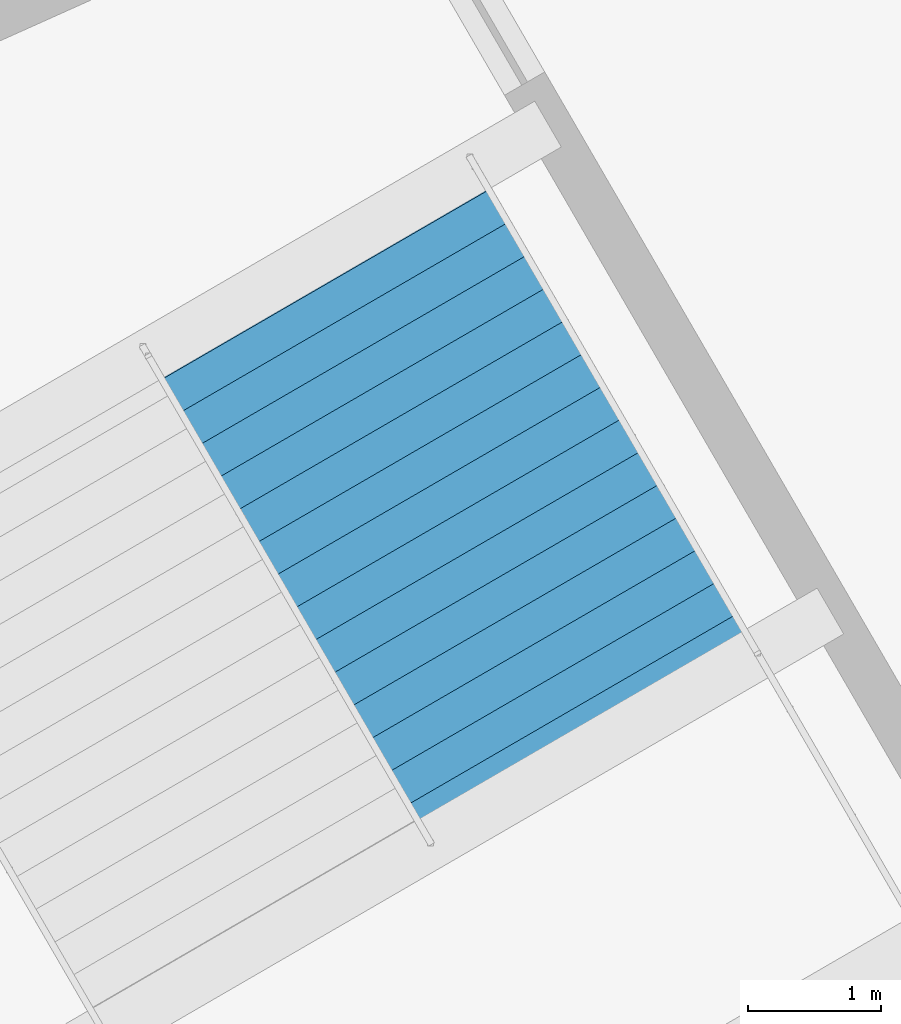
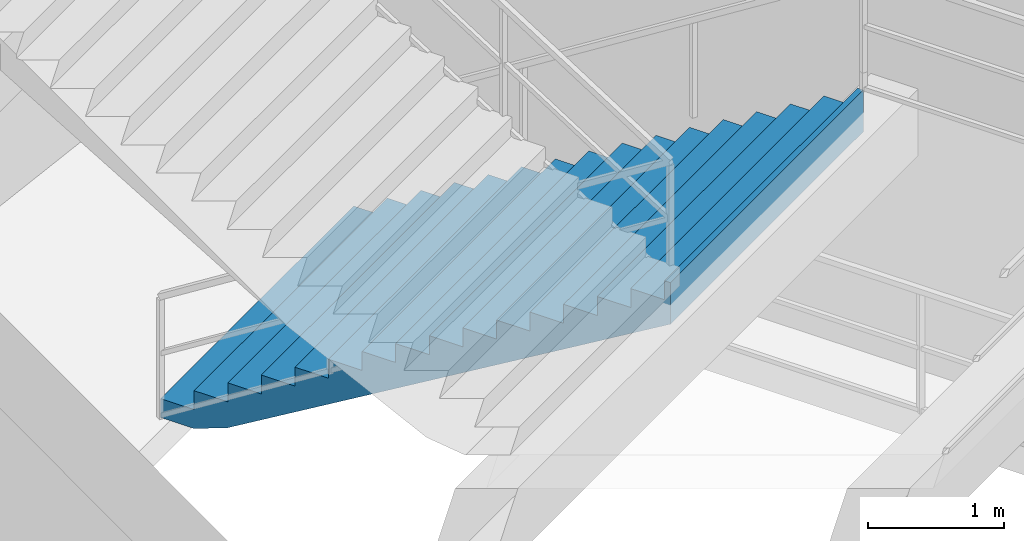
# One storey, part 82 of 103: 1 stair flight, 1 element without a shape of its own.
"""IFC4 building model written with IfcOpenShell, lengths in metres."""

import ifcopenshell
import ifcopenshell.guid

model = None  # the IFC model being written
_history = None  # IfcOwnerHistory: only IFC2X3 demands one
_inside = {}  # id of a spatial element -> (the spatial element, [elements in it])
_under = {}  # id of a project, library or spatial element -> (it, [spatial elements below it])
_declared = {}  # id of a project -> (the project, [libraries it declares])
_typed = {}  # id of a type object -> (the type object, [elements of that type])
_made_of = {}  # id of a material, layer set ... -> (it, [elements and type objects made of it])


def new_model(schema):
    """Start an empty IFC model of exactly this schema.

    Asked for "IFC4X3", IfcOpenShell would pick the latest addendum, in which some entities
    have other attributes; the version numbers below select the first issue.
    IFC2X3 requires an IfcOwnerHistory on every rooted entity: one is made here for all.
    """
    global model, _history
    if schema == "IFC4X3":
        model = ifcopenshell.file(schema_version=(4, 3, 0, 0))
    else:
        model = ifcopenshell.file(schema=schema)
    _inside.clear()
    _under.clear()
    _declared.clear()
    _typed.clear()
    _made_of.clear()
    _history = None
    if model.schema == "IFC2X3":
        org = make("IfcOrganization", Name="unknown")
        user = make(
            "IfcPersonAndOrganization",
            ThePerson=make("IfcPerson", FamilyName="unknown"),
            TheOrganization=org,
        )
        app = make(
            "IfcApplication",
            ApplicationDeveloper=org,
            Version="unknown",
            ApplicationFullName="unknown",
            ApplicationIdentifier="unknown",
        )
        _history = make(
            "IfcOwnerHistory",
            OwningUser=user,
            OwningApplication=app,
            ChangeAction="ADDED",
            CreationDate=0,
        )
    return model


def make(cls, **values):
    """One entity of the class cls with the attributes given. An attribute that is None is left unset."""
    return model.create_entity(
        cls, **{name: value for name, value in values.items() if value is not None}
    )


def rooted(cls, **values):
    """An entity with a GlobalId (a new one), such as an element, a storey or a relation."""
    return make(cls, GlobalId=ifcopenshell.guid.new(), OwnerHistory=_history, **values)


def si_unit(unit_type, name, prefix=None):
    """IfcSIUnit, for example si_unit("LENGTHUNIT", "METRE", prefix="MILLI")."""
    return make("IfcSIUnit", UnitType=unit_type, Prefix=prefix, Name=name)


def assignment(units):
    """IfcUnitAssignment: the units of a project."""
    return None if units is None else make("IfcUnitAssignment", Units=units)


def point(xyz):
    """IfcCartesianPoint."""
    return None if xyz is None else make("IfcCartesianPoint", Coordinates=xyz)


def direction(xyz):
    """IfcDirection."""
    return None if xyz is None else make("IfcDirection", DirectionRatios=xyz)


def frame(location, z_axis=None, x_axis=None):
    """IfcAxis2Placement3D, a coordinate frame: its origin and axes. An axis left out is left unset."""
    return make(
        "IfcAxis2Placement3D",
        Location=point(location),
        Axis=direction(z_axis),
        RefDirection=direction(x_axis),
    )


def origin():
    """The frame at (0, 0, 0) with its axes left unset."""
    return frame((0.0, 0.0, 0.0))


def place(relative_to, where):
    """IfcLocalPlacement: puts the frame where relative to a parent placement (None: the world)."""
    return make(
        "IfcLocalPlacement", PlacementRelTo=relative_to, RelativePlacement=where
    )


def context(
    kind, dimensions, precision=None, world=None, true_north=None, identifier=None
):
    """IfcGeometricRepresentationContext, for example the 3D "Model" context."""
    return make(
        "IfcGeometricRepresentationContext",
        ContextIdentifier=identifier,
        ContextType=kind,
        CoordinateSpaceDimension=dimensions,
        Precision=precision,
        WorldCoordinateSystem=world,
        TrueNorth=true_north,
    )


def subcontext(parent, identifier, kind, view, scale=None):
    """IfcGeometricRepresentationSubContext, for example "Body" below "Model"."""
    return make(
        "IfcGeometricRepresentationSubContext",
        ContextIdentifier=identifier,
        ContextType=kind,
        ParentContext=parent,
        TargetScale=scale,
        TargetView=view,
    )


def project(units=None, contexts=None):
    """IfcProject with its units and contexts."""
    return rooted(
        "IfcProject",
        Name="project",
        RepresentationContexts=contexts,
        UnitsInContext=assignment(units),
    )


def spatial(cls, under=None, at=None, **own):
    """A site, building, storey or space (cls), placed at a placement, below another one or the project."""
    s = rooted(cls, ObjectPlacement=at, **own)
    if under is not None:
        _under.setdefault(under.id(), (under, []))[1].append(s)
    return s


def point_list(points):
    """IfcCartesianPointList2D or 3D."""
    cls = (
        "IfcCartesianPointList2D" if len(points[0]) == 2 else "IfcCartesianPointList3D"
    )
    return make(cls, CoordList=points)


def polygons(points, faces, closed=None, point_numbers=None):
    """IfcPolygonalFaceSet: a face is its outer loop, then its inner loops; points numbered from 1."""
    made = []
    for loops in faces:
        if len(loops) == 1:
            made.append(make("IfcIndexedPolygonalFace", CoordIndex=loops[0]))
        else:
            made.append(
                make(
                    "IfcIndexedPolygonalFaceWithVoids",
                    CoordIndex=loops[0],
                    InnerCoordIndices=loops[1:],
                )
            )
    return make(
        "IfcPolygonalFaceSet",
        Coordinates=point_list(points),
        Closed=closed,
        Faces=made,
        PnIndex=point_numbers,
    )


def shape(context_of_items, identifier, shape_type, items):
    """IfcShapeRepresentation: the items that make up one representation, for example the "Body"."""
    return make(
        "IfcShapeRepresentation",
        ContextOfItems=context_of_items,
        RepresentationIdentifier=identifier,
        RepresentationType=shape_type,
        Items=items,
    )


def material(Name=None, Category=None):
    """IfcMaterial."""
    return make("IfcMaterial", Name=Name, Category=Category)


def made_of(thing, what):
    """Note that an element or type object is made of a material, layer set ...; save() writes the relation."""
    if what is not None:
        _made_of.setdefault(what.id(), (what, []))[1].append(thing)
    return thing


def type_object(cls, material=None, **own):
    """A type object (cls), such as IfcWallType, which elements share."""
    return made_of(rooted(cls, **own), material)


def element(
    cls,
    number,
    at=None,
    inside=None,
    cuts=None,
    type_object=None,
    material=None,
    context=None,
    identifier="Body",
    shape_type=None,
    held_by="IfcProductDefinitionShape",
    body=None,
    shapes=None,
    **own,
):
    """One element of the class cls, such as IfcWall. Its Tag is "e" and its number.

    at: its placement. inside: the storey or other place that contains it. cuts: it is an
    opening in that element (IfcRelVoidsElement). A single representation is given by context,
    identifier, shape_type and body (its items); several are given by shapes. held_by: the class
    of the entity that holds the representations. save() writes the other relations.
    """
    e = rooted(cls, Tag="e%d" % number, ObjectPlacement=at, **own)
    if body is not None:
        shapes = [shape(context, identifier, shape_type, body)]
    if shapes is not None:
        e.Representation = make(held_by, Representations=shapes)
    if inside is not None:
        _inside.setdefault(inside.id(), (inside, []))[1].append(e)
    if cuts is not None:
        rooted(
            "IfcRelVoidsElement", RelatingBuildingElement=cuts, RelatedOpeningElement=e
        )
    if type_object is not None:
        _typed.setdefault(type_object.id(), (type_object, []))[1].append(e)
    return made_of(e, material)


def aggregate(whole, parts):
    """IfcRelAggregates: a whole, such as a stair, and the parts it consists of."""
    return rooted("IfcRelAggregates", RelatingObject=whole, RelatedObjects=parts)


def save(model, path):
    """Write the relations noted so far, then the file.

    IfcRelAggregates (storeys below a building ...), IfcRelContainedInSpatialStructure (elements
    in a storey), IfcRelDefinesByType, IfcRelAssociatesMaterial and IfcRelDeclares: one each for
    every whole, place, type object, material and project.
    """
    for whole, parts in _under.values():
        aggregate(whole, parts)
    for where, things in _inside.values():
        rooted(
            "IfcRelContainedInSpatialStructure",
            RelatedElements=things,
            RelatingStructure=where,
        )
    for kind, things in _typed.values():
        rooted("IfcRelDefinesByType", RelatedObjects=things, RelatingType=kind)
    for what, things in _made_of.values():
        rooted("IfcRelAssociatesMaterial", RelatedObjects=things, RelatingMaterial=what)
    for by, libraries in _declared.values():
        rooted("IfcRelDeclares", RelatingContext=by, RelatedDefinitions=libraries)
    model.write(path)


model = new_model("IFC4")

# Units and contexts
model_context = context("Model", 3, precision=1e-05, world=origin(), true_north=direction((0.0, 1.0)))
body_context = subcontext(model_context, "Body", "Model", "MODEL_VIEW")
ifc_project = project(units=[si_unit("LENGTHUNIT", "METRE"), si_unit("AREAUNIT", "SQUARE_METRE"), si_unit("VOLUMEUNIT", "CUBIC_METRE"), si_unit("PLANEANGLEUNIT", "RADIAN"), si_unit("MASSUNIT", "GRAM", prefix="KILO")], contexts=[model_context])

# Site, building, storey
site_placement = place(None, origin())
site = spatial("IfcSite", under=ifc_project, at=site_placement, CompositionType="ELEMENT")
building_placement = place(site_placement, origin())
building = spatial("IfcBuilding", under=site, at=building_placement, Name="Kazemori Nagisa Stadium", CompositionType="ELEMENT")
storey_placement = place(building_placement, frame((0.0, 0.0, 25.840087890625)))
storey = spatial("IfcBuildingStorey", under=building, at=storey_placement, Name="L05", CompositionType="ELEMENT", Elevation=25.840087890625)

# Stair, stair flight
ifc_material = material(Name="Concrete C36/45 (Fc36)", Category="concrete")
stair_type = type_object("IfcStairType", Name="Stair_CORE_32", PredefinedType="TWO_STRAIGHT_RUN_STAIR", material=ifc_material)
stair_placement = place(storey_placement, origin())
stair = element("IfcStair", 1, at=stair_placement, inside=storey, type_object=stair_type, Name="Exit stair ST09 L05", PredefinedType="TWO_STRAIGHT_RUN_STAIR")
stair_flight_type = type_object("IfcStairFlightType", Name="Flight_CORE_16", PredefinedType="STRAIGHT", material=ifc_material)
stair_flight_placement = place(storey_placement, frame((43.585693359375, 63.55029296875, 0.0), z_axis=(0.0, 0.0, 1.0), x_axis=(0.501596719773, -0.865101572483, 0.0)))
stair_flight = element("IfcStairFlight", 2, at=stair_flight_placement, type_object=stair_flight_type, Name="Exit stair ST09 L05 flight 1", NumberOfRisers=16, NumberOfTreads=15, PredefinedType="STRAIGHT", RiserHeight=0.17, TreadLength=0.285, context=body_context, shape_type="Tessellation", body=[
    polygons([(0.0, -1.425048828125, 0.0), (0.0, -1.425048828125, 0.169921875), (0.284912109375, -1.425048828125, 0.169921875), (0.284912109375, -1.425048828125, 0.340087890625), (0.570068359375, -1.425048828125, 0.340087890625), (0.570068359375, -1.425048828125, 0.510009765625), (0.85498046875, -1.425048828125, 0.510009765625), (0.85498046875, -1.425048828125, 0.679931640625), (1.139892578125, -1.425048828125, 0.679931640625), (1.139892578125, -1.425048828125, 0.85009765625), (1.425048828125, -1.425048828125, 0.85009765625), (1.425048828125, -1.425048828125, 1.02001953125), (1.7099609375, -1.425048828125, 1.02001953125), (1.7099609375, -1.425048828125, 1.18994140625), (1.9951171875, -1.425048828125, 1.18994140625), (1.9951171875, -1.425048828125, 1.360107421875), (2.280029296875, -1.425048828125, 1.360107421875), (2.280029296875, -1.425048828125, 1.530029296875), (2.56494140625, -1.425048828125, 1.530029296875), (2.56494140625, -1.425048828125, 1.699951171875), (2.85009765625, -1.425048828125, 1.699951171875), (2.85009765625, -1.425048828125, 1.8701171875), (3.135009765625, -1.425048828125, 1.8701171875), (3.135009765625, -1.425048828125, 2.0400390625), (3.419921875, -1.425048828125, 2.0400390625), (3.419921875, -1.425048828125, 2.2099609375), (3.705078125, -1.425048828125, 2.2099609375), (3.705078125, -1.425048828125, 2.3798828125), (3.989990234375, -1.425048828125, 2.3798828125), (3.989990234375, -1.425048828125, 2.550048828125), (4.27490234375, -1.425048828125, 2.550048828125), (4.27490234375, -1.425048828125, 2.719970703125), (4.324951171875, -1.425048828125, 2.719970703125), (4.324951171875, -1.425048828125, 2.346923828125), (4.27490234375, -1.425048828125, 2.317138671875), (3.989990234375, -1.425048828125, 2.147216796875), (3.705078125, -1.425048828125, 1.977294921875), (3.419921875, -1.425048828125, 1.80712890625), (3.135009765625, -1.425048828125, 1.63720703125), (2.85009765625, -1.425048828125, 1.46728515625), (2.56494140625, -1.425048828125, 1.297119140625), (2.280029296875, -1.425048828125, 1.127197265625), (1.9951171875, -1.425048828125, 0.957275390625), (1.7099609375, -1.425048828125, 0.787109375), (1.425048828125, -1.425048828125, 0.6171875), (1.139892578125, -1.425048828125, 0.447265625), (0.85498046875, -1.425048828125, 0.277099609375), (0.570068359375, -1.425048828125, 0.107177734375), (0.284912109375, -1.425048828125, 0.0), (0.0, -0.08544921875, 0.0), (0.0, -0.08544921875, 0.169921875), (0.284912109375, -0.08544921875, 0.169921875), (0.284912109375, -0.08544921875, 0.340087890625), (0.570068359375, -0.08544921875, 0.340087890625), (0.570068359375, -0.08544921875, 0.510009765625), (0.85498046875, -0.08544921875, 0.510009765625), (0.85498046875, -0.08544921875, 0.679931640625), (1.139892578125, -0.08544921875, 0.679931640625), (1.139892578125, -0.08544921875, 0.85009765625), (1.425048828125, -0.08544921875, 0.85009765625), (1.425048828125, -0.08544921875, 1.02001953125), (1.7099609375, -0.08544921875, 1.02001953125), (1.7099609375, -0.08544921875, 1.18994140625), (1.9951171875, -0.08544921875, 1.18994140625), (1.9951171875, -0.08544921875, 1.360107421875), (2.280029296875, -0.08544921875, 1.360107421875), (2.280029296875, -0.08544921875, 1.530029296875), (2.56494140625, -0.08544921875, 1.530029296875), (2.56494140625, -0.08544921875, 1.699951171875), (2.85009765625, -0.08544921875, 1.699951171875), (2.85009765625, -0.08544921875, 1.8701171875), (3.135009765625, -0.08544921875, 1.8701171875), (3.135009765625, -0.08544921875, 2.0400390625), (3.419921875, -0.08544921875, 2.0400390625), (3.419921875, -0.08544921875, 2.2099609375), (3.705078125, -0.08544921875, 2.2099609375), (3.705078125, -0.08544921875, 2.3798828125), (3.989990234375, -0.08544921875, 2.3798828125), (3.989990234375, -0.08544921875, 2.550048828125), (4.27490234375, -0.08544921875, 2.550048828125), (4.27490234375, -0.08544921875, 2.719970703125), (4.324951171875, -0.08544921875, 2.719970703125), (4.324951171875, -0.08544921875, 2.346923828125), (4.27490234375, -0.08544921875, 2.317138671875), (3.989990234375, -0.08544921875, 2.147216796875), (3.705078125, -0.08544921875, 1.977294921875), (3.419921875, -0.08544921875, 1.80712890625), (3.135009765625, -0.08544921875, 1.63720703125), (2.85009765625, -0.08544921875, 1.46728515625), (2.56494140625, -0.08544921875, 1.297119140625), (2.280029296875, -0.08544921875, 1.127197265625), (1.9951171875, -0.08544921875, 0.957275390625), (1.7099609375, -0.08544921875, 0.787109375), (1.425048828125, -0.08544921875, 0.6171875), (1.139892578125, -0.08544921875, 0.447265625), (0.85498046875, -0.08544921875, 0.277099609375), (0.570068359375, -0.08544921875, 0.107177734375), (0.284912109375, -0.08544921875, 0.0), (0.0, 0.0, 0.0), (0.0, 0.0, 0.169921875), (0.284912109375, 0.0, 0.169921875), (0.284912109375, 0.0, 0.340087890625), (0.570068359375, 0.0, 0.340087890625), (0.570068359375, 0.0, 0.510009765625), (0.85498046875, 0.0, 0.510009765625), (0.85498046875, 0.0, 0.679931640625), (1.139892578125, 0.0, 0.679931640625), (1.139892578125, 0.0, 0.85009765625), (1.425048828125, 0.0, 0.85009765625), (1.425048828125, 0.0, 1.02001953125), (1.7099609375, 0.0, 1.02001953125), (1.7099609375, 0.0, 1.18994140625), (1.9951171875, 0.0, 1.18994140625), (1.9951171875, 0.0, 1.360107421875), (2.280029296875, 0.0, 1.360107421875), (2.280029296875, 0.0, 1.530029296875), (2.56494140625, 0.0, 1.530029296875), (2.56494140625, 0.0, 1.699951171875), (2.85009765625, 0.0, 1.699951171875), (2.85009765625, 0.0, 1.8701171875), (3.135009765625, 0.0, 1.8701171875), (3.135009765625, 0.0, 2.0400390625), (3.419921875, 0.0, 2.0400390625), (3.419921875, 0.0, 2.2099609375), (3.705078125, 0.0, 2.2099609375), (3.705078125, 0.0, 2.3798828125), (3.989990234375, 0.0, 2.3798828125), (3.989990234375, 0.0, 2.550048828125), (4.27490234375, 0.0, 2.550048828125), (4.27490234375, 0.0, 2.719970703125), (4.324951171875, 0.0, 2.719970703125), (4.324951171875, 0.0, 2.346923828125), (4.27490234375, 0.0, 2.317138671875), (3.989990234375, 0.0, 2.147216796875), (3.705078125, 0.0, 1.977294921875), (3.419921875, 0.0, 1.80712890625), (3.135009765625, 0.0, 1.63720703125), (2.85009765625, 0.0, 1.46728515625), (2.56494140625, 0.0, 1.297119140625), (2.280029296875, 0.0, 1.127197265625), (1.9951171875, 0.0, 0.957275390625), (1.7099609375, 0.0, 0.787109375), (1.425048828125, 0.0, 0.6171875), (1.139892578125, 0.0, 0.447265625), (0.85498046875, 0.0, 0.277099609375), (0.570068359375, 0.0, 0.107177734375), (0.284912109375, 0.0, 0.0), (0.0, 0.08544921875, 0.0), (0.0, 0.08544921875, 0.169921875), (0.284912109375, 0.08544921875, 0.169921875), (0.284912109375, 0.08544921875, 0.340087890625), (0.570068359375, 0.08544921875, 0.340087890625), (0.570068359375, 0.08544921875, 0.510009765625), (0.85498046875, 0.08544921875, 0.510009765625), (0.85498046875, 0.08544921875, 0.679931640625), (1.139892578125, 0.08544921875, 0.679931640625), (1.139892578125, 0.08544921875, 0.85009765625), (1.425048828125, 0.08544921875, 0.85009765625), (1.425048828125, 0.08544921875, 1.02001953125), (1.7099609375, 0.08544921875, 1.02001953125), (1.7099609375, 0.08544921875, 1.18994140625), (1.9951171875, 0.08544921875, 1.18994140625), (1.9951171875, 0.08544921875, 1.360107421875), (2.280029296875, 0.08544921875, 1.360107421875), (2.280029296875, 0.08544921875, 1.530029296875), (2.56494140625, 0.08544921875, 1.530029296875), (2.56494140625, 0.08544921875, 1.699951171875), (2.85009765625, 0.08544921875, 1.699951171875), (2.85009765625, 0.08544921875, 1.8701171875), (3.135009765625, 0.08544921875, 1.8701171875), (3.135009765625, 0.08544921875, 2.0400390625), (3.419921875, 0.08544921875, 2.0400390625), (3.419921875, 0.08544921875, 2.2099609375), (3.705078125, 0.08544921875, 2.2099609375), (3.705078125, 0.08544921875, 2.3798828125), (3.989990234375, 0.08544921875, 2.3798828125), (3.989990234375, 0.08544921875, 2.550048828125), (4.27490234375, 0.08544921875, 2.550048828125), (4.27490234375, 0.08544921875, 2.719970703125), (4.324951171875, 0.08544921875, 2.719970703125), (4.324951171875, 0.08544921875, 2.346923828125), (4.27490234375, 0.08544921875, 2.317138671875), (3.989990234375, 0.08544921875, 2.147216796875), (3.705078125, 0.08544921875, 1.977294921875), (3.419921875, 0.08544921875, 1.80712890625), (3.135009765625, 0.08544921875, 1.63720703125), (2.85009765625, 0.08544921875, 1.46728515625), (2.56494140625, 0.08544921875, 1.297119140625), (2.280029296875, 0.08544921875, 1.127197265625), (1.9951171875, 0.08544921875, 0.957275390625), (1.7099609375, 0.08544921875, 0.787109375), (1.425048828125, 0.08544921875, 0.6171875), (1.139892578125, 0.08544921875, 0.447265625), (0.85498046875, 0.08544921875, 0.277099609375), (0.570068359375, 0.08544921875, 0.107177734375), (0.284912109375, 0.08544921875, 0.0), (0.0, 1.425048828125, 0.0), (0.0, 1.425048828125, 0.169921875), (0.284912109375, 1.425048828125, 0.169921875), (0.284912109375, 1.425048828125, 0.340087890625), (0.570068359375, 1.425048828125, 0.340087890625), (0.570068359375, 1.425048828125, 0.510009765625), (0.85498046875, 1.425048828125, 0.510009765625), (0.85498046875, 1.425048828125, 0.679931640625), (1.139892578125, 1.425048828125, 0.679931640625), (1.139892578125, 1.425048828125, 0.85009765625), (1.425048828125, 1.425048828125, 0.85009765625), (1.425048828125, 1.425048828125, 1.02001953125), (1.7099609375, 1.425048828125, 1.02001953125), (1.7099609375, 1.425048828125, 1.18994140625), (1.9951171875, 1.425048828125, 1.18994140625), (1.9951171875, 1.425048828125, 1.360107421875), (2.280029296875, 1.425048828125, 1.360107421875), (2.280029296875, 1.425048828125, 1.530029296875), (2.56494140625, 1.425048828125, 1.530029296875), (2.56494140625, 1.425048828125, 1.699951171875), (2.85009765625, 1.425048828125, 1.699951171875), (2.85009765625, 1.425048828125, 1.8701171875), (3.135009765625, 1.425048828125, 1.8701171875), (3.135009765625, 1.425048828125, 2.0400390625), (3.419921875, 1.425048828125, 2.0400390625), (3.419921875, 1.425048828125, 2.2099609375), (3.705078125, 1.425048828125, 2.2099609375), (3.705078125, 1.425048828125, 2.3798828125), (3.989990234375, 1.425048828125, 2.3798828125), (3.989990234375, 1.425048828125, 2.550048828125), (4.27490234375, 1.425048828125, 2.550048828125), (4.27490234375, 1.425048828125, 2.719970703125), (4.324951171875, 1.425048828125, 2.719970703125), (4.324951171875, 1.425048828125, 2.346923828125), (4.27490234375, 1.425048828125, 2.317138671875), (3.989990234375, 1.425048828125, 2.147216796875), (3.705078125, 1.425048828125, 1.977294921875), (3.419921875, 1.425048828125, 1.80712890625), (3.135009765625, 1.425048828125, 1.63720703125), (2.85009765625, 1.425048828125, 1.46728515625), (2.56494140625, 1.425048828125, 1.297119140625), (2.280029296875, 1.425048828125, 1.127197265625), (1.9951171875, 1.425048828125, 0.957275390625), (1.7099609375, 1.425048828125, 0.787109375), (1.425048828125, 1.425048828125, 0.6171875), (1.139892578125, 1.425048828125, 0.447265625), (0.85498046875, 1.425048828125, 0.277099609375), (0.570068359375, 1.425048828125, 0.107177734375), (0.284912109375, 1.425048828125, 0.0)], [[[1, 2, 51]], [[1, 51, 50]], [[2, 3, 52]], [[2, 52, 51]], [[3, 4, 53]], [[3, 53, 52]], [[4, 5, 54]], [[4, 54, 53]], [[5, 6, 55]], [[5, 55, 54]], [[6, 7, 56]], [[6, 56, 55]], [[7, 8, 57]], [[7, 57, 56]], [[8, 9, 58]], [[8, 58, 57]], [[9, 10, 59]], [[9, 59, 58]], [[10, 11, 60]], [[10, 60, 59]], [[11, 12, 61]], [[11, 61, 60]], [[12, 13, 62]], [[12, 62, 61]], [[13, 14, 63]], [[13, 63, 62]], [[14, 15, 64]], [[14, 64, 63]], [[15, 16, 65]], [[15, 65, 64]], [[16, 17, 66]], [[16, 66, 65]], [[17, 18, 67]], [[17, 67, 66]], [[18, 19, 68]], [[18, 68, 67]], [[19, 20, 69]], [[19, 69, 68]], [[20, 21, 70]], [[20, 70, 69]], [[21, 22, 71]], [[21, 71, 70]], [[22, 23, 72]], [[22, 72, 71]], [[23, 24, 73]], [[23, 73, 72]], [[24, 25, 74]], [[24, 74, 73]], [[25, 26, 75]], [[25, 75, 74]], [[26, 27, 76]], [[26, 76, 75]], [[27, 28, 77]], [[27, 77, 76]], [[28, 29, 78]], [[28, 78, 77]], [[29, 30, 79]], [[29, 79, 78]], [[30, 31, 80]], [[30, 80, 79]], [[31, 32, 81]], [[31, 81, 80]], [[32, 33, 82]], [[32, 82, 81]], [[33, 34, 83]], [[33, 83, 82]], [[34, 35, 84]], [[34, 84, 83]], [[35, 36, 85]], [[35, 85, 84]], [[36, 37, 86]], [[36, 86, 85]], [[37, 38, 87]], [[37, 87, 86]], [[38, 39, 88]], [[38, 88, 87]], [[39, 40, 89]], [[39, 89, 88]], [[40, 41, 90]], [[40, 90, 89]], [[41, 42, 91]], [[41, 91, 90]], [[42, 43, 92]], [[42, 92, 91]], [[43, 44, 93]], [[43, 93, 92]], [[44, 45, 94]], [[44, 94, 93]], [[45, 46, 95]], [[45, 95, 94]], [[46, 47, 96]], [[46, 96, 95]], [[47, 48, 97]], [[47, 97, 96]], [[48, 49, 98]], [[48, 98, 97]], [[49, 1, 50]], [[49, 50, 98]], [[50, 51, 100]], [[50, 100, 99]], [[51, 52, 101]], [[51, 101, 100]], [[52, 53, 102]], [[52, 102, 101]], [[53, 54, 103]], [[53, 103, 102]], [[54, 55, 104]], [[54, 104, 103]], [[55, 56, 105]], [[55, 105, 104]], [[56, 57, 106]], [[56, 106, 105]], [[57, 58, 107]], [[57, 107, 106]], [[58, 59, 108]], [[58, 108, 107]], [[59, 60, 109]], [[59, 109, 108]], [[60, 61, 110]], [[60, 110, 109]], [[61, 62, 111]], [[61, 111, 110]], [[62, 63, 112]], [[62, 112, 111]], [[63, 64, 113]], [[63, 113, 112]], [[64, 65, 114]], [[64, 114, 113]], [[65, 66, 115]], [[65, 115, 114]], [[66, 67, 116]], [[66, 116, 115]], [[67, 68, 117]], [[67, 117, 116]], [[68, 69, 118]], [[68, 118, 117]], [[69, 70, 119]], [[69, 119, 118]], [[70, 71, 120]], [[70, 120, 119]], [[71, 72, 121]], [[71, 121, 120]], [[72, 73, 122]], [[72, 122, 121]], [[73, 74, 123]], [[73, 123, 122]], [[74, 75, 124]], [[74, 124, 123]], [[75, 76, 125]], [[75, 125, 124]], [[76, 77, 126]], [[76, 126, 125]], [[77, 78, 127]], [[77, 127, 126]], [[78, 79, 128]], [[78, 128, 127]], [[79, 80, 129]], [[79, 129, 128]], [[80, 81, 130]], [[80, 130, 129]], [[81, 82, 131]], [[81, 131, 130]], [[82, 83, 132]], [[82, 132, 131]], [[83, 84, 133]], [[83, 133, 132]], [[84, 85, 134]], [[84, 134, 133]], [[85, 86, 135]], [[85, 135, 134]], [[86, 87, 136]], [[86, 136, 135]], [[87, 88, 137]], [[87, 137, 136]], [[88, 89, 138]], [[88, 138, 137]], [[89, 90, 139]], [[89, 139, 138]], [[90, 91, 140]], [[90, 140, 139]], [[91, 92, 141]], [[91, 141, 140]], [[92, 93, 142]], [[92, 142, 141]], [[93, 94, 143]], [[93, 143, 142]], [[94, 95, 144]], [[94, 144, 143]], [[95, 96, 145]], [[95, 145, 144]], [[96, 97, 146]], [[96, 146, 145]], [[97, 98, 147]], [[97, 147, 146]], [[98, 50, 99]], [[98, 99, 147]], [[99, 100, 149]], [[99, 149, 148]], [[100, 101, 150]], [[100, 150, 149]], [[101, 102, 151]], [[101, 151, 150]], [[102, 103, 152]], [[102, 152, 151]], [[103, 104, 153]], [[103, 153, 152]], [[104, 105, 154]], [[104, 154, 153]], [[105, 106, 155]], [[105, 155, 154]], [[106, 107, 156]], [[106, 156, 155]], [[107, 108, 157]], [[107, 157, 156]], [[108, 109, 158]], [[108, 158, 157]], [[109, 110, 159]], [[109, 159, 158]], [[110, 111, 160]], [[110, 160, 159]], [[111, 112, 161]], [[111, 161, 160]], [[112, 113, 162]], [[112, 162, 161]], [[113, 114, 163]], [[113, 163, 162]], [[114, 115, 164]], [[114, 164, 163]], [[115, 116, 165]], [[115, 165, 164]], [[116, 117, 166]], [[116, 166, 165]], [[117, 118, 167]], [[117, 167, 166]], [[118, 119, 168]], [[118, 168, 167]], [[119, 120, 169]], [[119, 169, 168]], [[120, 121, 170]], [[120, 170, 169]], [[121, 122, 171]], [[121, 171, 170]], [[122, 123, 172]], [[122, 172, 171]], [[123, 124, 173]], [[123, 173, 172]], [[124, 125, 174]], [[124, 174, 173]], [[125, 126, 175]], [[125, 175, 174]], [[126, 127, 176]], [[126, 176, 175]], [[127, 128, 177]], [[127, 177, 176]], [[128, 129, 178]], [[128, 178, 177]], [[129, 130, 179]], [[129, 179, 178]], [[130, 131, 180]], [[130, 180, 179]], [[131, 132, 181]], [[131, 181, 180]], [[132, 133, 182]], [[132, 182, 181]], [[133, 134, 183]], [[133, 183, 182]], [[134, 135, 184]], [[134, 184, 183]], [[135, 136, 185]], [[135, 185, 184]], [[136, 137, 186]], [[136, 186, 185]], [[137, 138, 187]], [[137, 187, 186]], [[138, 139, 188]], [[138, 188, 187]], [[139, 140, 189]], [[139, 189, 188]], [[140, 141, 190]], [[140, 190, 189]], [[141, 142, 191]], [[141, 191, 190]], [[142, 143, 192]], [[142, 192, 191]], [[143, 144, 193]], [[143, 193, 192]], [[144, 145, 194]], [[144, 194, 193]], [[145, 146, 195]], [[145, 195, 194]], [[146, 147, 196]], [[146, 196, 195]], [[147, 99, 148]], [[147, 148, 196]], [[148, 149, 198]], [[148, 198, 197]], [[149, 150, 199]], [[149, 199, 198]], [[150, 151, 200]], [[150, 200, 199]], [[151, 152, 201]], [[151, 201, 200]], [[152, 153, 202]], [[152, 202, 201]], [[153, 154, 203]], [[153, 203, 202]], [[154, 155, 204]], [[154, 204, 203]], [[155, 156, 205]], [[155, 205, 204]], [[156, 157, 206]], [[156, 206, 205]], [[157, 158, 207]], [[157, 207, 206]], [[158, 159, 208]], [[158, 208, 207]], [[159, 160, 209]], [[159, 209, 208]], [[160, 161, 210]], [[160, 210, 209]], [[161, 162, 211]], [[161, 211, 210]], [[162, 163, 212]], [[162, 212, 211]], [[163, 164, 213]], [[163, 213, 212]], [[164, 165, 214]], [[164, 214, 213]], [[165, 166, 215]], [[165, 215, 214]], [[166, 167, 216]], [[166, 216, 215]], [[167, 168, 217]], [[167, 217, 216]], [[168, 169, 218]], [[168, 218, 217]], [[169, 170, 219]], [[169, 219, 218]], [[170, 171, 220]], [[170, 220, 219]], [[171, 172, 221]], [[171, 221, 220]], [[172, 173, 222]], [[172, 222, 221]], [[173, 174, 223]], [[173, 223, 222]], [[174, 175, 224]], [[174, 224, 223]], [[175, 176, 225]], [[175, 225, 224]], [[176, 177, 226]], [[176, 226, 225]], [[177, 178, 227]], [[177, 227, 226]], [[178, 179, 228]], [[178, 228, 227]], [[179, 180, 229]], [[179, 229, 228]], [[180, 181, 230]], [[180, 230, 229]], [[181, 182, 231]], [[181, 231, 230]], [[182, 183, 232]], [[182, 232, 231]], [[183, 184, 233]], [[183, 233, 232]], [[184, 185, 234]], [[184, 234, 233]], [[185, 186, 235]], [[185, 235, 234]], [[186, 187, 236]], [[186, 236, 235]], [[187, 188, 237]], [[187, 237, 236]], [[188, 189, 238]], [[188, 238, 237]], [[189, 190, 239]], [[189, 239, 238]], [[190, 191, 240]], [[190, 240, 239]], [[191, 192, 241]], [[191, 241, 240]], [[192, 193, 242]], [[192, 242, 241]], [[193, 194, 243]], [[193, 243, 242]], [[194, 195, 244]], [[194, 244, 243]], [[195, 196, 245]], [[195, 245, 244]], [[196, 148, 197]], [[196, 197, 245]], [[3, 2, 1]], [[197, 198, 199]], [[49, 3, 1]], [[197, 199, 245]], [[48, 3, 49]], [[245, 199, 244]], [[5, 3, 48]], [[244, 199, 201]], [[5, 4, 3]], [[199, 200, 201]], [[47, 5, 48]], [[244, 201, 243]], [[7, 5, 47]], [[243, 201, 203]], [[7, 6, 5]], [[201, 202, 203]], [[46, 7, 47]], [[243, 203, 242]], [[9, 7, 46]], [[242, 203, 205]], [[9, 8, 7]], [[203, 204, 205]], [[45, 9, 46]], [[242, 205, 241]], [[11, 9, 45]], [[241, 205, 207]], [[11, 10, 9]], [[205, 206, 207]], [[44, 11, 45]], [[241, 207, 240]], [[13, 11, 44]], [[240, 207, 209]], [[13, 12, 11]], [[207, 208, 209]], [[43, 13, 44]], [[240, 209, 239]], [[15, 13, 43]], [[239, 209, 211]], [[15, 14, 13]], [[209, 210, 211]], [[42, 15, 43]], [[239, 211, 238]], [[17, 15, 42]], [[238, 211, 213]], [[17, 16, 15]], [[211, 212, 213]], [[41, 17, 42]], [[238, 213, 237]], [[19, 17, 41]], [[237, 213, 215]], [[19, 18, 17]], [[213, 214, 215]], [[40, 19, 41]], [[237, 215, 236]], [[21, 19, 40]], [[236, 215, 217]], [[21, 20, 19]], [[215, 216, 217]], [[39, 21, 40]], [[236, 217, 235]], [[23, 21, 39]], [[235, 217, 219]], [[23, 22, 21]], [[217, 218, 219]], [[38, 23, 39]], [[235, 219, 234]], [[25, 23, 38]], [[234, 219, 221]], [[25, 24, 23]], [[219, 220, 221]], [[37, 25, 38]], [[234, 221, 233]], [[27, 25, 37]], [[233, 221, 223]], [[27, 26, 25]], [[221, 222, 223]], [[36, 27, 37]], [[233, 223, 232]], [[29, 27, 36]], [[232, 223, 225]], [[29, 28, 27]], [[223, 224, 225]], [[35, 29, 36]], [[232, 225, 231]], [[31, 29, 35]], [[231, 225, 227]], [[31, 30, 29]], [[225, 226, 227]], [[34, 31, 35]], [[231, 227, 230]], [[33, 31, 34]], [[230, 227, 229]], [[33, 32, 31]], [[227, 228, 229]]], closed=True),
])
aggregate(stair, [stair_flight])

save(model, "model.ifc")
